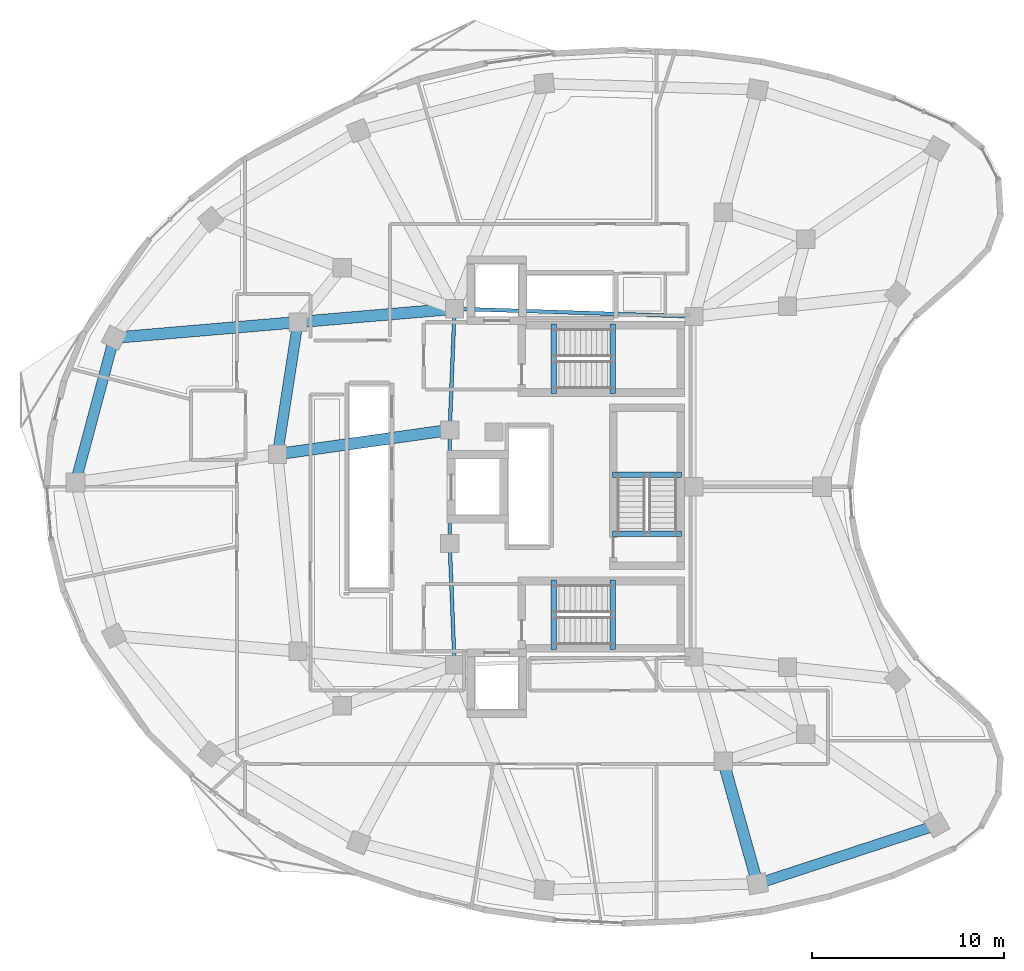
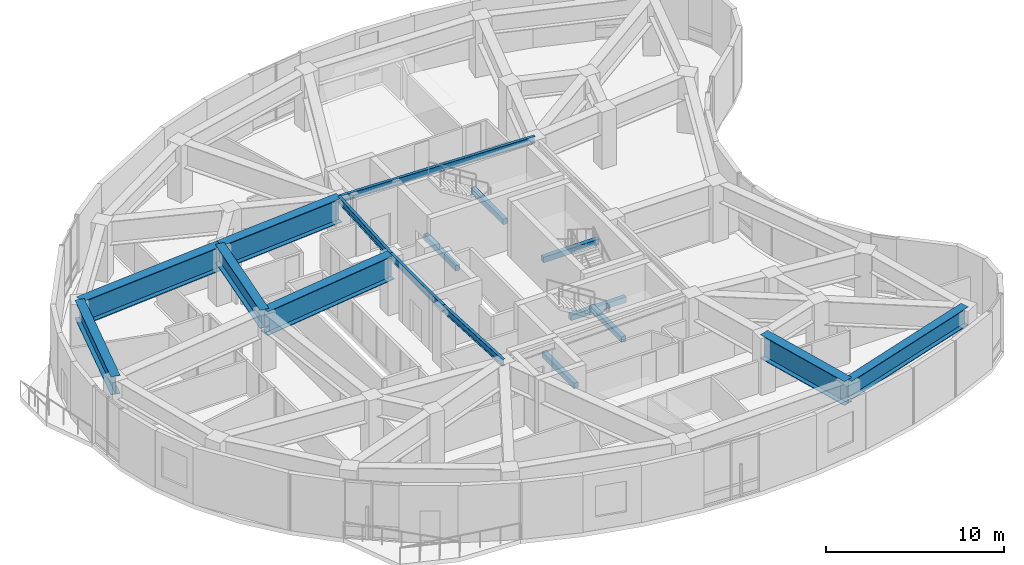
# One storey, part 3 of 14: 17 beams.
"""IFC4 building model written with IfcOpenShell, lengths in metres."""

from ifc_helpers import new_model, si_unit, direction, frame, origin, origin_2d, place, context, subcontext, project, spatial, rectangle, i_section, extrude, material, material_profile, profile_set, type_object, element, save


model = new_model("IFC4")

# Units and contexts
model_context = context("Model", 3, precision=1e-05, world=origin(), true_north=direction((0.0, 1.0)))
body_context = subcontext(model_context, "Body", "Model", "MODEL_VIEW")
ifc_project = project(units=[si_unit("LENGTHUNIT", "METRE"), si_unit("AREAUNIT", "SQUARE_METRE"), si_unit("VOLUMEUNIT", "CUBIC_METRE"), si_unit("PLANEANGLEUNIT", "RADIAN"), si_unit("MASSUNIT", "GRAM", prefix="KILO")], contexts=[model_context])

# Site, building, storey
site_placement = place(None, origin())
site = spatial("IfcSite", under=ifc_project, at=site_placement, CompositionType="ELEMENT")
building_placement = place(site_placement, origin())
building = spatial("IfcBuilding", under=site, at=building_placement, Name="Korentha Bioscience Tower", CompositionType="ELEMENT")
storey_placement = place(building_placement, frame((0.0, 0.0, 239.39990234375)))
storey = spatial("IfcBuildingStorey", under=building, at=storey_placement, Name="L55", CompositionType="ELEMENT", Elevation=239.39990234375)

# Beams
ifc_material_1 = material(Name="Concrete C50", Category="concrete")
ifc_material_profile_1 = material_profile(ifc_material_1, rectangle(XDim=0.280029296875, YDim=0.3798828125, at=origin_2d()), Name="Concrete C50")
ifc_profile_set_1 = profile_set([ifc_material_profile_1], Name="Concrete C50 (ST-HB380)")
beam_type_1 = type_object("IfcBeamType", Name="Concrete Stair Header Beam RC 280x380", PredefinedType="BEAM", material=ifc_profile_set_1)
for number, where, z_axis, x_axis, name in (
    (1, (30.25, 31.85009765625, -0.18994140625), (0.0, 1.0, 0.0), (-1.0, 0.0, 0.0), "L55 ST-1 Concrete Stair Header Beam"),
    (2, (33.330078125, 31.85009765625, 1.91015625), (0.0, 1.0, 0.0), (-1.0, 0.0, 0.0), "L55 ST-1 Half-Landing Header Beam 1"),
    (3, (30.25, 18.550048828125, -0.18994140625), (0.0, 1.0, 0.0), (-1.0, 0.0, 0.0), "L55 ST-2 Concrete Stair Header Beam"),
    (4, (33.330078125, 18.550048828125, 1.91015625), (0.0, 1.0, 0.0), (-1.0, 0.0, 0.0), "L55 ST-2 Half-Landing Header Beam 1"),
    (5, (36.89990234375, 24.550048828125, -0.18994140625), (-1.0, 0.0, 0.0), (0.0, -1.0, 0.0), "L55 ST-3 Concrete Stair Header Beam"),
    (6, (36.89990234375, 27.6298828125, 1.91015625), (-1.0, 0.0, 0.0), (0.0, -1.0, 0.0), "L55 ST-3 Half-Landing Header Beam 1"),
):
    element("IfcBeam", number, at=place(storey_placement, frame(where, z_axis=z_axis, x_axis=x_axis)), inside=storey, type_object=beam_type_1, Name=name, PredefinedType="BEAM", context=body_context, shape_type="SweptSolid", body=[
        extrude(rectangle(XDim=0.280029296875, YDim=0.3798828125, at=origin_2d()), origin(), (0.0, 0.0, 1.0), 3.599853515625),
    ])
ifc_material_2 = material(Name="Steel S355", Category="steel")
ifc_material_profile_2 = material_profile(ifc_material_2, i_section(OverallWidth=0.550048828125, OverallDepth=1.25, WebThickness=0.02392578125, FlangeThickness=0.0400390625, at=origin_2d()), Name="Steel S355")
ifc_profile_set_2 = profile_set([ifc_material_profile_2], Name="Steel S355 (TG-03)")
beam_type_2 = type_object("IfcBeamType", Name="Crown Step Transfer Girder CVS 1250x510", PredefinedType="USERDEFINED", material=ifc_profile_set_2)
beam_1_placement = place(storey_placement, frame((16.96044921875, 35.555908203125, 3.275146484375), z_axis=(-0.152313520838, -0.988332227224, 0.0), x_axis=(0.988332227224, -0.152313520838, 0.0)))
element("IfcBeam", 7, at=beam_1_placement, inside=storey, type_object=beam_type_2, Name="L55 Mid-Ring Tie Girder 06", ObjectType="TRANSFER_GIRDER", PredefinedType="USERDEFINED", context=body_context, shape_type="SweptSolid", body=[
    extrude(i_section(OverallWidth=0.550048828125, OverallDepth=1.25, WebThickness=0.02392578125, FlangeThickness=0.0400390625, at=origin_2d()), origin(), (0.0, 0.0, 1.0), 6.942138671875),
])
beam_2_placement = place(storey_placement, frame((7.4052734375, 34.741455078125, 3.275146484375), z_axis=(-0.257674365533, -0.966231815532, 0.0), x_axis=(0.966231815532, -0.257674365533, 0.0)))
element("IfcBeam", 8, at=beam_2_placement, inside=storey, type_object=beam_type_2, Name="L55 Perimeter Spandrel Girder 06", ObjectType="TRANSFER_GIRDER", PredefinedType="USERDEFINED", context=body_context, shape_type="SweptSolid", body=[
    extrude(i_section(OverallWidth=0.550048828125, OverallDepth=1.25, WebThickness=0.02392578125, FlangeThickness=0.0400390625, at=origin_2d()), origin(), (0.0, 0.0, 1.0), 7.782470703125),
])
beam_3_placement = place(storey_placement, frame((40.846923828125, 6.367919921875, 3.275146484375), z_axis=(0.950449256032, 0.310879738338, 0.0), x_axis=(-0.310879738338, 0.950449256032, 0.0)))
element("IfcBeam", 9, at=beam_3_placement, inside=storey, type_object=beam_type_2, Name="L55 Perimeter Spandrel Girder 12", ObjectType="TRANSFER_GIRDER", PredefinedType="USERDEFINED", context=body_context, shape_type="SweptSolid", body=[
    extrude(i_section(OverallWidth=0.550048828125, OverallDepth=1.25, WebThickness=0.02392578125, FlangeThickness=0.0400390625, at=origin_2d()), origin(), (0.0, 0.0, 1.0), 9.81494140625),
])
ifc_material_profile_3 = material_profile(ifc_material_2, i_section(OverallWidth=0.60009765625, OverallDepth=1.64990234375, WebThickness=0.02587890625, FlangeThickness=0.0439453125, at=origin_2d()), Name="Steel S355")
ifc_profile_set_3 = profile_set([ifc_material_profile_3], Name="Steel S355 (TG-04)")
beam_type_3 = type_object("IfcBeamType", Name="Deep Setback Transfer Girder CVS 1650x620", PredefinedType="USERDEFINED", material=ifc_profile_set_3)
beam_4_placement = place(storey_placement, frame((25.10009765625, 36.25, 3.0751953125), z_axis=(-0.996383970884, -0.084964595957, 0.0), x_axis=(0.084964595957, -0.996383970884, 0.0)))
element("IfcBeam", 10, at=beam_4_placement, inside=storey, type_object=beam_type_3, Name="L55 Inner Radial Transfer Girder 06", ObjectType="TRANSFER_GIRDER", PredefinedType="USERDEFINED", context=body_context, shape_type="SweptSolid", body=[
    extrude(i_section(OverallWidth=0.60009765625, OverallDepth=1.64990234375, WebThickness=0.02587890625, FlangeThickness=0.0439453125, at=origin_2d()), origin(), (0.0, 0.0, 1.0), 8.169189453125),
])
beam_5_placement = place(storey_placement, frame((16.96044921875, 35.555908203125, 3.0751953125), z_axis=(-0.996387014591, -0.084928894698, 0.0), x_axis=(0.084928894698, -0.996387014591, 0.0)))
element("IfcBeam", 11, at=beam_5_placement, inside=storey, type_object=beam_type_3, Name="L55 Outer Radial Transfer Girder 06", ObjectType="TRANSFER_GIRDER", PredefinedType="USERDEFINED", context=body_context, shape_type="SweptSolid", body=[
    extrude(i_section(OverallWidth=0.60009765625, OverallDepth=1.64990234375, WebThickness=0.02587890625, FlangeThickness=0.0439453125, at=origin_2d()), origin(), (0.0, 0.0, 1.0), 9.58984375),
])
beam_6_placement = place(storey_placement, frame((24.85009765625, 29.949951171875, 3.0751953125), z_axis=(-0.990303045163, -0.138924003471, 0.0), x_axis=(0.138924003471, -0.990303045163, 0.0)))
element("IfcBeam", 12, at=beam_6_placement, inside=storey, type_object=beam_type_3, Name="L55 Inner Radial Transfer Girder 07", ObjectType="TRANSFER_GIRDER", PredefinedType="USERDEFINED", context=body_context, shape_type="SweptSolid", body=[
    extrude(i_section(OverallWidth=0.60009765625, OverallDepth=1.64990234375, WebThickness=0.02587890625, FlangeThickness=0.0439453125, at=origin_2d()), origin(), (0.0, 0.0, 1.0), 9.03466796875),
])
beam_7_placement = place(storey_placement, frame((39.066650390625, 12.730224609375, 3.0751953125), z_axis=(0.269465439817, -0.963010060562, 0.0), x_axis=(0.963010060562, 0.269465439817, 0.0)))
element("IfcBeam", 13, at=beam_7_placement, inside=storey, type_object=beam_type_3, Name="L55 Outer Radial Transfer Girder 12", ObjectType="TRANSFER_GIRDER", PredefinedType="USERDEFINED", context=body_context, shape_type="SweptSolid", body=[
    extrude(i_section(OverallWidth=0.60009765625, OverallDepth=1.64990234375, WebThickness=0.02587890625, FlangeThickness=0.0439453125, at=origin_2d()), origin(), (0.0, 0.0, 1.0), 6.606689453125),
])
ifc_material_profile_4 = material_profile(ifc_material_2, i_section(OverallWidth=0.18994140625, OverallDepth=0.45703125, WebThickness=0.009033203125, FlangeThickness=0.014404296875, at=origin_2d()), Name="Steel S355")
ifc_profile_set_4 = profile_set([ifc_material_profile_4], Name="Steel S355 (MB-460)")
beam_type_4 = type_object("IfcBeamType", Name="Mid-Ring Tie Girder W460x74", PredefinedType="BEAM", material=ifc_profile_set_4)
beam_8_placement = place(storey_placement, frame((37.550048828125, 35.85009765625, 3.671630859375), z_axis=(-0.999484526071, 0.032104238723, 0.0), x_axis=(-0.032104238723, -0.999484526071, 0.0)))
element("IfcBeam", 14, at=beam_8_placement, inside=storey, type_object=beam_type_4, Name="L55 Core Ring Tie Girder 01", PredefinedType="BEAM", context=body_context, shape_type="SweptSolid", body=[
    extrude(i_section(OverallWidth=0.18994140625, OverallDepth=0.45703125, WebThickness=0.009033203125, FlangeThickness=0.014404296875, at=origin_2d()), origin(), (0.0, 0.0, 1.0), 12.456298828125),
])
beam_9_placement = place(storey_placement, frame((25.10009765625, 36.25, 3.671630859375), z_axis=(-0.039651025576, -0.999213588864, 0.0), x_axis=(0.999213588864, -0.039651025576, 0.0)))
element("IfcBeam", 15, at=beam_9_placement, inside=storey, type_object=beam_type_4, Name="L55 Core Ring Tie Girder 02", PredefinedType="BEAM", context=body_context, shape_type="SweptSolid", body=[
    extrude(i_section(OverallWidth=0.18994140625, OverallDepth=0.45703125, WebThickness=0.009033203125, FlangeThickness=0.014404296875, at=origin_2d()), origin(), (0.0, 0.0, 1.0), 6.304931640625),
])
beam_10_placement = place(storey_placement, frame((24.85009765625, 29.949951171875, 3.671630859375), z_axis=(0.0, -1.0, 0.0), x_axis=(1.0, 0.0, 0.0)))
element("IfcBeam", 16, at=beam_10_placement, inside=storey, type_object=beam_type_4, Name="L55 Core Ring Tie Girder 03", PredefinedType="BEAM", context=body_context, shape_type="SweptSolid", body=[
    extrude(i_section(OverallWidth=0.18994140625, OverallDepth=0.45703125, WebThickness=0.009033203125, FlangeThickness=0.014404296875, at=origin_2d()), origin(), (0.0, 0.0, 1.0), 5.89990234375),
])
beam_11_placement = place(storey_placement, frame((24.85009765625, 24.050048828125, 3.671630859375), z_axis=(0.039651025576, -0.999213588864, 0.0), x_axis=(0.999213588864, 0.039651025576, 0.0)))
element("IfcBeam", 17, at=beam_11_placement, inside=storey, type_object=beam_type_4, Name="L55 Core Ring Tie Girder 04", PredefinedType="BEAM", context=body_context, shape_type="SweptSolid", body=[
    extrude(i_section(OverallWidth=0.18994140625, OverallDepth=0.45703125, WebThickness=0.009033203125, FlangeThickness=0.014404296875, at=origin_2d()), origin(), (0.0, 0.0, 1.0), 6.304931640625),
])

save(model, "model.ifc")
